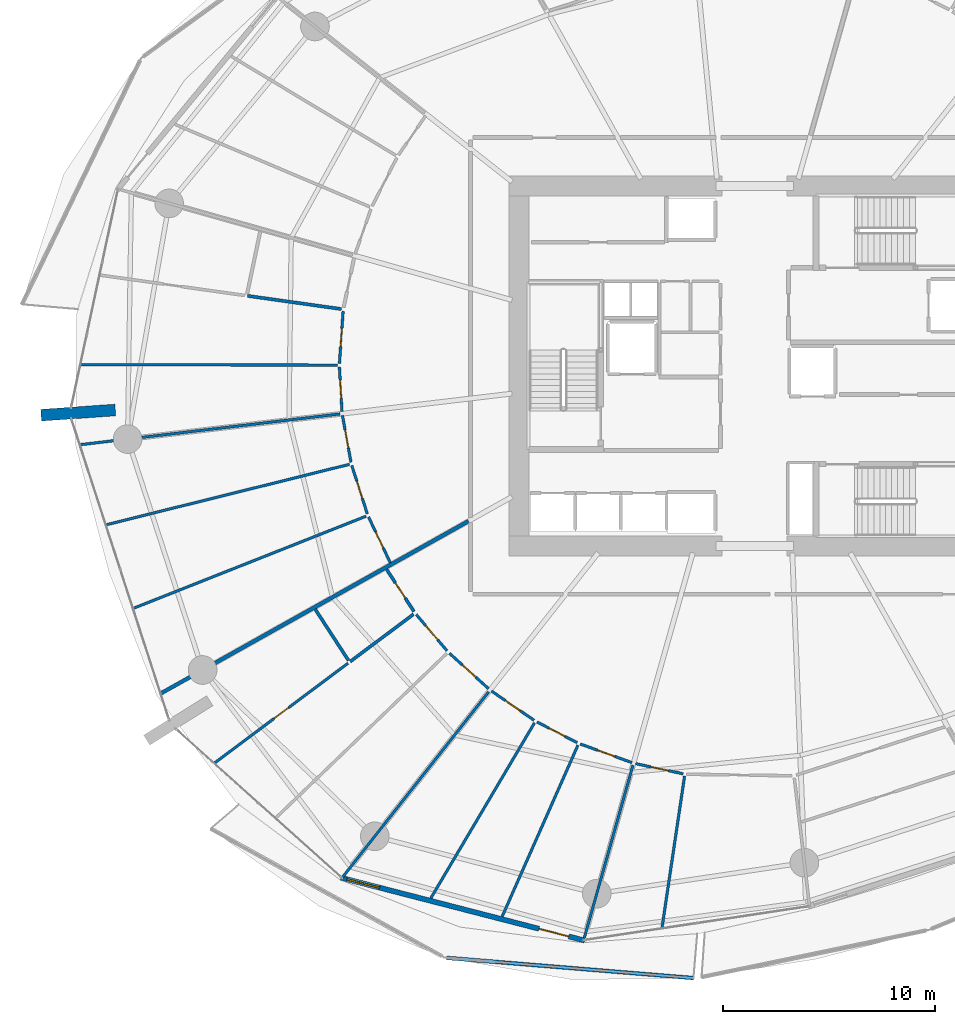
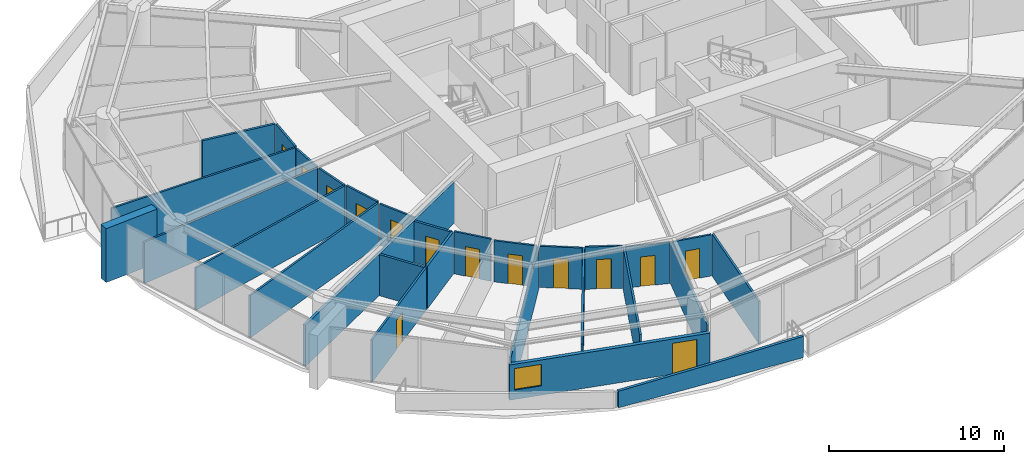
# One storey, part 19 of 31: 29 walls, 14 doors, 1 window, 15 openings.
"""IFC4 building model written with IfcOpenShell, lengths in metres."""

import ifcopenshell
import ifcopenshell.guid

model = None  # the IFC model being written
_history = None  # IfcOwnerHistory: only IFC2X3 demands one
_inside = {}  # id of a spatial element -> (the spatial element, [elements in it])
_under = {}  # id of a project, library or spatial element -> (it, [spatial elements below it])
_declared = {}  # id of a project -> (the project, [libraries it declares])
_typed = {}  # id of a type object -> (the type object, [elements of that type])
_made_of = {}  # id of a material, layer set ... -> (it, [elements and type objects made of it])


def new_model(schema):
    """Start an empty IFC model of exactly this schema.

    Asked for "IFC4X3", IfcOpenShell would pick the latest addendum, in which some entities
    have other attributes; the version numbers below select the first issue.
    IFC2X3 requires an IfcOwnerHistory on every rooted entity: one is made here for all.
    """
    global model, _history
    if schema == "IFC4X3":
        model = ifcopenshell.file(schema_version=(4, 3, 0, 0))
    else:
        model = ifcopenshell.file(schema=schema)
    _inside.clear()
    _under.clear()
    _declared.clear()
    _typed.clear()
    _made_of.clear()
    _history = None
    if model.schema == "IFC2X3":
        org = make("IfcOrganization", Name="unknown")
        user = make(
            "IfcPersonAndOrganization",
            ThePerson=make("IfcPerson", FamilyName="unknown"),
            TheOrganization=org,
        )
        app = make(
            "IfcApplication",
            ApplicationDeveloper=org,
            Version="unknown",
            ApplicationFullName="unknown",
            ApplicationIdentifier="unknown",
        )
        _history = make(
            "IfcOwnerHistory",
            OwningUser=user,
            OwningApplication=app,
            ChangeAction="ADDED",
            CreationDate=0,
        )
    return model


def make(cls, **values):
    """One entity of the class cls with the attributes given. An attribute that is None is left unset."""
    return model.create_entity(
        cls, **{name: value for name, value in values.items() if value is not None}
    )


def rooted(cls, **values):
    """An entity with a GlobalId (a new one), such as an element, a storey or a relation."""
    return make(cls, GlobalId=ifcopenshell.guid.new(), OwnerHistory=_history, **values)


def si_unit(unit_type, name, prefix=None):
    """IfcSIUnit, for example si_unit("LENGTHUNIT", "METRE", prefix="MILLI")."""
    return make("IfcSIUnit", UnitType=unit_type, Prefix=prefix, Name=name)


def assignment(units):
    """IfcUnitAssignment: the units of a project."""
    return None if units is None else make("IfcUnitAssignment", Units=units)


def point(xyz):
    """IfcCartesianPoint."""
    return None if xyz is None else make("IfcCartesianPoint", Coordinates=xyz)


def direction(xyz):
    """IfcDirection."""
    return None if xyz is None else make("IfcDirection", DirectionRatios=xyz)


def frame(location, z_axis=None, x_axis=None):
    """IfcAxis2Placement3D, a coordinate frame: its origin and axes. An axis left out is left unset."""
    return make(
        "IfcAxis2Placement3D",
        Location=point(location),
        Axis=direction(z_axis),
        RefDirection=direction(x_axis),
    )


def frame_2d(location, x_axis=None):
    """IfcAxis2Placement2D, a coordinate frame in the plane: its origin and x axis."""
    return make(
        "IfcAxis2Placement2D", Location=point(location), RefDirection=direction(x_axis)
    )


def origin():
    """The frame at (0, 0, 0) with its axes left unset."""
    return frame((0.0, 0.0, 0.0))


def place(relative_to, where):
    """IfcLocalPlacement: puts the frame where relative to a parent placement (None: the world)."""
    return make(
        "IfcLocalPlacement", PlacementRelTo=relative_to, RelativePlacement=where
    )


def context(
    kind, dimensions, precision=None, world=None, true_north=None, identifier=None
):
    """IfcGeometricRepresentationContext, for example the 3D "Model" context."""
    return make(
        "IfcGeometricRepresentationContext",
        ContextIdentifier=identifier,
        ContextType=kind,
        CoordinateSpaceDimension=dimensions,
        Precision=precision,
        WorldCoordinateSystem=world,
        TrueNorth=true_north,
    )


def subcontext(parent, identifier, kind, view, scale=None):
    """IfcGeometricRepresentationSubContext, for example "Body" below "Model"."""
    return make(
        "IfcGeometricRepresentationSubContext",
        ContextIdentifier=identifier,
        ContextType=kind,
        ParentContext=parent,
        TargetScale=scale,
        TargetView=view,
    )


def project(units=None, contexts=None):
    """IfcProject with its units and contexts."""
    return rooted(
        "IfcProject",
        Name="project",
        RepresentationContexts=contexts,
        UnitsInContext=assignment(units),
    )


def spatial(cls, under=None, at=None, **own):
    """A site, building, storey or space (cls), placed at a placement, below another one or the project."""
    s = rooted(cls, ObjectPlacement=at, **own)
    if under is not None:
        _under.setdefault(under.id(), (under, []))[1].append(s)
    return s


def polyline(points):
    """IfcPolyline through the points."""
    return make("IfcPolyline", Points=[point(p) for p in points])


def profile(cls, at=None, kind="AREA", **sizes):
    """A parametric profile (cls). Its sizes go by their IFC names, for example OverallWidth=200.0."""
    return make(cls, ProfileType=kind, Position=at, **sizes)


def rectangle(**sizes):
    """IfcRectangleProfileDef."""
    return profile("IfcRectangleProfileDef", **sizes)


def outline(outer, holes=None, kind="AREA"):
    """IfcArbitraryClosedProfileDef: a profile drawn as a closed curve; with holes, ...WithVoids."""
    if holes is None:
        return make("IfcArbitraryClosedProfileDef", ProfileType=kind, OuterCurve=outer)
    return make(
        "IfcArbitraryProfileDefWithVoids",
        ProfileType=kind,
        OuterCurve=outer,
        InnerCurves=holes,
    )


def extrude(swept, where, along, depth):
    """IfcExtrudedAreaSolid: the profile swept, set in the frame where, extruded along a direction by depth."""
    return make(
        "IfcExtrudedAreaSolid",
        SweptArea=swept,
        Position=where,
        ExtrudedDirection=direction(along),
        Depth=depth,
    )


def shape(context_of_items, identifier, shape_type, items):
    """IfcShapeRepresentation: the items that make up one representation, for example the "Body"."""
    return make(
        "IfcShapeRepresentation",
        ContextOfItems=context_of_items,
        RepresentationIdentifier=identifier,
        RepresentationType=shape_type,
        Items=items,
    )


def material(Name=None, Category=None):
    """IfcMaterial."""
    return make("IfcMaterial", Name=Name, Category=Category)


def layer(
    of_material, thickness, ventilated=None, Name=None, Category=None, Priority=None
):
    """IfcMaterialLayer: one layer of a wall or slab, of a material (None: an air gap)."""
    return make(
        "IfcMaterialLayer",
        Material=of_material,
        LayerThickness=thickness,
        IsVentilated=ventilated,
        Name=Name,
        Category=Category,
        Priority=Priority,
    )


def layer_set(layers, Name=None):
    """IfcMaterialLayerSet."""
    return make("IfcMaterialLayerSet", MaterialLayers=layers, LayerSetName=Name)


def made_of(thing, what):
    """Note that an element or type object is made of a material, layer set ...; save() writes the relation."""
    if what is not None:
        _made_of.setdefault(what.id(), (what, []))[1].append(thing)
    return thing


def type_object(cls, material=None, **own):
    """A type object (cls), such as IfcWallType, which elements share."""
    return made_of(rooted(cls, **own), material)


def element(
    cls,
    number,
    at=None,
    inside=None,
    cuts=None,
    type_object=None,
    material=None,
    context=None,
    identifier="Body",
    shape_type=None,
    held_by="IfcProductDefinitionShape",
    body=None,
    shapes=None,
    **own,
):
    """One element of the class cls, such as IfcWall. Its Tag is "e" and its number.

    at: its placement. inside: the storey or other place that contains it. cuts: it is an
    opening in that element (IfcRelVoidsElement). A single representation is given by context,
    identifier, shape_type and body (its items); several are given by shapes. held_by: the class
    of the entity that holds the representations. save() writes the other relations.
    """
    e = rooted(cls, Tag="e%d" % number, ObjectPlacement=at, **own)
    if body is not None:
        shapes = [shape(context, identifier, shape_type, body)]
    if shapes is not None:
        e.Representation = make(held_by, Representations=shapes)
    if inside is not None:
        _inside.setdefault(inside.id(), (inside, []))[1].append(e)
    if cuts is not None:
        rooted(
            "IfcRelVoidsElement", RelatingBuildingElement=cuts, RelatedOpeningElement=e
        )
    if type_object is not None:
        _typed.setdefault(type_object.id(), (type_object, []))[1].append(e)
    return made_of(e, material)


def fill(opening, filler):
    """IfcRelFillsElement: the door or window that sits in an opening."""
    return rooted(
        "IfcRelFillsElement",
        RelatingOpeningElement=opening,
        RelatedBuildingElement=filler,
    )


def aggregate(whole, parts):
    """IfcRelAggregates: a whole, such as a stair, and the parts it consists of."""
    return rooted("IfcRelAggregates", RelatingObject=whole, RelatedObjects=parts)


def save(model, path):
    """Write the relations noted so far, then the file.

    IfcRelAggregates (storeys below a building ...), IfcRelContainedInSpatialStructure (elements
    in a storey), IfcRelDefinesByType, IfcRelAssociatesMaterial and IfcRelDeclares: one each for
    every whole, place, type object, material and project.
    """
    for whole, parts in _under.values():
        aggregate(whole, parts)
    for where, things in _inside.values():
        rooted(
            "IfcRelContainedInSpatialStructure",
            RelatedElements=things,
            RelatingStructure=where,
        )
    for kind, things in _typed.values():
        rooted("IfcRelDefinesByType", RelatedObjects=things, RelatingType=kind)
    for what, things in _made_of.values():
        rooted("IfcRelAssociatesMaterial", RelatedObjects=things, RelatingMaterial=what)
    for by, libraries in _declared.values():
        rooted("IfcRelDeclares", RelatingContext=by, RelatedDefinitions=libraries)
    model.write(path)


model = new_model("IFC4")

# Units and contexts
model_context = context("Model", 3, precision=1e-05, world=origin(), true_north=direction((0.0, 1.0)))
body_context = subcontext(model_context, "Body", "Model", "MODEL_VIEW")
ifc_project = project(units=[si_unit("LENGTHUNIT", "METRE"), si_unit("AREAUNIT", "SQUARE_METRE"), si_unit("VOLUMEUNIT", "CUBIC_METRE"), si_unit("PLANEANGLEUNIT", "RADIAN"), si_unit("MASSUNIT", "GRAM", prefix="KILO")], contexts=[model_context])

# Site, building, storey
site_placement = place(None, origin())
site = spatial("IfcSite", under=ifc_project, at=site_placement, CompositionType="ELEMENT")
building_placement = place(site_placement, origin())
building = spatial("IfcBuilding", under=site, at=building_placement, Name="Kazma Halo Residences", CompositionType="ELEMENT")
storey_placement = place(building_placement, frame((0.0, 0.0, 41.39990234375)))
storey = spatial("IfcBuildingStorey", under=building, at=storey_placement, Name="L09", CompositionType="ELEMENT", Elevation=41.39990234375)

# Walls
ifc_material_1 = material(Name="White Concrete C50/60 Balustrade", Category="concrete")
ifc_layer_1 = layer(ifc_material_1, 0.179931640625)
ifc_layer_set_1 = layer_set([ifc_layer_1], Name="White Concrete C50/60 Balustrade")
wall_type_1 = type_object("IfcWallType", Name="WL-BAL-WAVE-180", PredefinedType="PARAPET", material=ifc_layer_set_1)
wall_1_placement = place(storey_placement, frame((33.923583984375, 14.12890625, 0.0), z_axis=(0.0, 0.0, 1.0), x_axis=(0.996665753963, -0.081592737892, 0.0)))
element("IfcWall", 1, at=wall_1_placement, inside=storey, type_object=wall_type_1, Name="L09 white wave balustrade wall SW.2", PredefinedType="PARAPET", context=body_context, shape_type="SweptSolid", body=[
    extrude(outline(polyline([(0.0, 0.0), (11.66943359375, 0.0), (11.669677734375, 1.483154296875), (5.8349609375, 1.2841796875), (0.0, 1.148193359375), (0.0, 0.0)])), frame((0.0, 0.08984375, 0.0), z_axis=(0.0, -1.0, 0.0), x_axis=(1.0, 0.0, 0.0)), (0.0, 0.0, 1.0), 0.179931640625),
])
ifc_material_2 = material(Name="Pale Concrete C60/75", Category="concrete")
ifc_layer_2 = layer(ifc_material_2, 0.550048828125)
ifc_layer_set_2 = layer_set([ifc_layer_2], Name="Pale Concrete C60/75")
wall_type_2 = type_object("IfcWallType", Name="WL-BLADE-550", PredefinedType="SOLIDWALL", material=ifc_layer_set_2)
wall_2_placement = place(storey_placement, frame((18.322021484375, 39.9248046875, 0.0), z_axis=(0.0, 0.0, 1.0), x_axis=(-0.997564163539, -0.069754853754, 0.0)))
element("IfcWall", 2, at=wall_2_placement, inside=storey, type_object=wall_type_2, Name="L09 pale concrete structural blade fin wall BW-02", PredefinedType="SOLIDWALL", context=body_context, shape_type="SweptSolid", body=[
    extrude(rectangle(XDim=3.5, YDim=0.550048828125, at=frame_2d((1.75, 0.0))), origin(), (0.0, 0.0, 1.0), 3.75),
])
ifc_material_3 = material(Name="Acoustic Twin-Stud Gypsum")
ifc_layer_3 = layer(ifc_material_3, 0.179931640625)
ifc_layer_set_3 = layer_set([ifc_layer_3], Name="Acoustic Twin-Stud Gypsum")
wall_type_3 = type_object("IfcWallType", Name="WL-DEM-180", PredefinedType="PARTITIONING", material=ifc_layer_set_3)
wall_3_placement = place(storey_placement, frame((34.9541015625, 34.694091796875, 0.0), z_axis=(0.0, 0.0, 1.0), x_axis=(-0.872493465611, -0.488625779577, 0.0)))
element("IfcWall", 3, at=wall_3_placement, inside=storey, type_object=wall_type_3, Name="L09 apartment demising radial wall 08", PredefinedType="PARTITIONING", context=body_context, shape_type="SweptSolid", body=[
    extrude(rectangle(XDim=16.586181640625, YDim=0.179931640625, at=frame_2d((8.29296875, 0.0))), origin(), (0.0, 0.0, 1.0), 2.8671875),
])

# Wall, openings, door, window
ifc_material_4 = material(Name="Insulated Pale-Metal Composite Wall")
ifc_layer_4 = layer(ifc_material_4, 0.239990234375)
ifc_layer_set_4 = layer_set([ifc_layer_4], Name="Insulated Pale-Metal Composite Wall")
wall_type_4 = type_object("IfcWallType", Name="WL-EXT-HOST-240", PredefinedType="SOLIDWALL", material=ifc_layer_set_4)
wall_4_placement = place(storey_placement, frame((28.94580078125, 17.90380859375, 0.0), z_axis=(0.0, 0.0, 1.0), x_axis=(0.96833871487, -0.249640007378, 0.0)))
wall_4 = element("IfcWall", 4, at=wall_4_placement, inside=storey, type_object=wall_type_4, Name="L09 exterior terrace-access wall B10", PredefinedType="SOLIDWALL", context=body_context, shape_type="SweptSolid", body=[
    extrude(rectangle(XDim=11.85107421875, YDim=0.239990234375, at=frame_2d((5.925537109375, 0.0))), origin(), (0.0, 0.0, 1.0), 2.4501953125),
])
opening_1_placement = place(wall_4_placement, frame((9.631103515625, 0.0, 0.0)))
opening_1 = element("IfcOpeningElement", 5, at=opening_1_placement, cuts=wall_4, Name="Opening DTR-1600", PredefinedType="OPENING", context=body_context, shape_type="SweptSolid", body=[
    extrude(rectangle(XDim=1.449951171875, YDim=2.14990234375, at=frame_2d((0.72509765625, 1.074951171875))), frame((0.0, 0.1298828125, 0.0), z_axis=(0.0, -1.0, 0.0), x_axis=(1.0, 0.0, 0.0)), (0.0, 0.0, 1.0), 0.260009765625),
])
opening_2_placement = place(wall_4_placement, frame((0.280029296875, 0.0, 0.64990234375)))
opening_2 = element("IfcOpeningElement", 6, at=opening_2_placement, cuts=wall_4, Name="Opening W-1800", PredefinedType="OPENING", context=body_context, shape_type="SweptSolid", body=[
    extrude(rectangle(XDim=1.60009765625, YDim=1.5, at=frame_2d((0.800048828125, 0.75))), frame((0.0, 0.1298828125, 0.0), z_axis=(0.0, -1.0, 0.0), x_axis=(1.0, 0.0, 0.0)), (0.0, 0.0, 1.0), 0.260009765625),
])
ifc_material_5 = material(Name="Aluminium AW-6063 T6 Double-Glazed Terrace Door", Category="aluminium")
door_type_1 = type_object("IfcDoorType", Name="DR-EXT-TERR-1600", OperationType="NOTDEFINED", PredefinedType="DOOR", material=ifc_material_5)
door_1_placement = place(opening_1_placement, origin())
door_1 = element("IfcDoor", 7, at=door_1_placement, inside=storey, type_object=door_type_1, Name="L09 B10 balcony terrace door", OperationType="DOUBLE_DOOR_SLIDING", OverallHeight=2.14990234375, OverallWidth=1.449951171875, PredefinedType="DOOR", context=body_context, shape_type="SweptSolid", body=[
    extrude(rectangle(XDim=1.449951171875, YDim=2.14990234375, at=frame_2d((0.72509765625, 1.074951171875))), frame((0.0, 0.02490234375, 0.0), z_axis=(0.0, -1.0, 0.0), x_axis=(1.0, 0.0, 0.0)), (0.0, 0.0, 1.0), 0.050048828125),
])
fill(opening_1, door_1)
ifc_material_6 = material(Name="Clear Triple-Silver Low-E Glass in Aluminium AW-6063 T6 Frame", Category="aluminium")
window_type = type_object("IfcWindowType", Name="WIN-RES-1800", PartitioningType="DOUBLE_PANEL_VERTICAL", PredefinedType="WINDOW", material=ifc_material_6)
window_placement = place(opening_2_placement, origin())
window = element("IfcWindow", 8, at=window_placement, inside=storey, type_object=window_type, Name="L09 B10 apartment window", OverallHeight=1.5, OverallWidth=1.60009765625, PartitioningType="SINGLE_PANEL", PredefinedType="WINDOW", context=body_context, shape_type="SweptSolid", body=[
    extrude(rectangle(XDim=1.60009765625, YDim=1.5, at=frame_2d((0.800048828125, 0.75))), frame((0.0, 0.030029296875, 0.0), z_axis=(0.0, -1.0, 0.0), x_axis=(1.0, 0.0, 0.0)), (0.0, 0.0, 1.0), 0.06005859375),
])
fill(opening_2, window)

# Wall
ifc_material_7 = material(Name="Gypsum Plasterboard Partition")
ifc_layer_5 = layer(ifc_material_7, 0.125)
ifc_layer_set_5 = layer_set([ifc_layer_5], Name="Gypsum Plasterboard Partition")
wall_type_5 = type_object("IfcWallType", Name="WL-PART-125", PredefinedType="PARTITIONING", material=ifc_layer_set_5)
wall_5_placement = place(storey_placement, frame((28.780029296875, 42.0380859375, 0.0), z_axis=(0.0, 0.0, 1.0), x_axis=(-0.999998036955, 0.001981435282, 0.0)))
element("IfcWall", 9, at=wall_5_placement, inside=storey, type_object=wall_type_5, Name="L09 Apartment 1 suite divider 6", PredefinedType="PARTITIONING", context=body_context, shape_type="SweptSolid", body=[
    extrude(rectangle(XDim=12.074951171875, YDim=0.125, at=frame_2d((6.03759765625, 0.0))), origin(), (0.0, 0.0, 1.0), 2.940185546875),
])

# Wall, opening, door
wall_6_placement = place(storey_placement, frame((29.05029296875, 44.575927734375, 0.0), z_axis=(0.0, 0.0, 1.0), x_axis=(-0.070831673661, -0.997488282641, 0.0)))
wall_6 = element("IfcWall", 10, at=wall_6_placement, inside=storey, type_object=wall_type_5, Name="L09 Apartment 1 Gulf Formal Dining Room hall wall", PredefinedType="PARTITIONING", context=body_context, shape_type="SweptSolid", body=[
    extrude(rectangle(XDim=2.46435546875, YDim=0.125, at=frame_2d((1.232177734375, 0.0))), origin(), (0.0, 0.0, 1.0), 2.940185546875),
])
opening_3_placement = place(wall_6_placement, frame((0.80712890625, 0.0, 0.0)))
opening_3 = element("IfcOpeningElement", 11, at=opening_3_placement, cuts=wall_6, Name="Opening DB-900", PredefinedType="OPENING", context=body_context, shape_type="SweptSolid", body=[
    extrude(rectangle(XDim=0.85009765625, YDim=2.06005859375, at=frame_2d((0.425048828125, 1.030029296875))), frame((0.0, 0.072509765625, 0.0), z_axis=(0.0, -1.0, 0.0), x_axis=(1.0, 0.0, 0.0)), (0.0, 0.0, 1.0), 0.14501953125),
])
ifc_material_8 = material(Name="Moisture-Sealed Timber Leaf", Category="wood")
door_type_2 = type_object("IfcDoorType", Name="DR-BTH-900", OperationType="NOTDEFINED", PredefinedType="DOOR", material=ifc_material_8)
door_2_placement = place(opening_3_placement, origin())
door_2 = element("IfcDoor", 12, at=door_2_placement, inside=storey, type_object=door_type_2, Name="L09 Apartment 1 Gulf Formal Dining Room door", OperationType="SINGLE_SWING_RIGHT", OverallHeight=2.06005859375, OverallWidth=0.85009765625, PredefinedType="DOOR", context=body_context, shape_type="SweptSolid", body=[
    extrude(rectangle(XDim=0.85009765625, YDim=2.06005859375, at=frame_2d((0.425048828125, 1.030029296875))), frame((0.0, 0.02490234375, 0.0), z_axis=(0.0, -1.0, 0.0), x_axis=(1.0, 0.0, 0.0)), (0.0, 0.0, 1.0), 0.050048828125),
])
fill(opening_3, door_2)

wall_7_placement = place(storey_placement, frame((28.87451171875, 41.9580078125, 0.0), z_axis=(0.0, 0.0, 1.0), x_axis=(0.057962417622, -0.998318765797, 0.0)))
wall_7 = element("IfcWall", 13, at=wall_7_placement, inside=storey, type_object=wall_type_5, Name="L09 Apartment 1 Primary Master Bedroom hall wall", PredefinedType="PARTITIONING", context=body_context, shape_type="SweptSolid", body=[
    extrude(rectangle(XDim=2.1103515625, YDim=0.125, at=frame_2d((1.05517578125, 0.0))), origin(), (0.0, 0.0, 1.0), 2.8671875),
])
opening_4_placement = place(wall_7_placement, frame((0.630126953125, 0.0, 0.0)))
opening_4 = element("IfcOpeningElement", 14, at=opening_4_placement, cuts=wall_7, Name="Opening DB-900", PredefinedType="OPENING", context=body_context, shape_type="SweptSolid", body=[
    extrude(rectangle(XDim=0.85009765625, YDim=2.06005859375, at=frame_2d((0.425048828125, 1.030029296875))), frame((0.0, 0.072509765625, 0.0), z_axis=(0.0, -1.0, 0.0), x_axis=(1.0, 0.0, 0.0)), (0.0, 0.0, 1.0), 0.14501953125),
])
door_3_placement = place(opening_4_placement, origin())
door_3 = element("IfcDoor", 15, at=door_3_placement, inside=storey, type_object=door_type_2, Name="L09 Apartment 1 Primary Master Bedroom door", OperationType="SINGLE_SWING_LEFT", OverallHeight=2.06005859375, OverallWidth=0.85009765625, PredefinedType="DOOR", context=body_context, shape_type="SweptSolid", body=[
    extrude(rectangle(XDim=0.85009765625, YDim=2.06005859375, at=frame_2d((0.425048828125, 1.030029296875))), frame((0.0, 0.02490234375, 0.0), z_axis=(0.0, -1.0, 0.0), x_axis=(1.0, 0.0, 0.0)), (0.0, 0.0, 1.0), 0.050048828125),
])
fill(opening_4, door_3)

# Walls
wall_8_placement = place(storey_placement, frame((28.9033203125, 39.73974609375, 0.0), z_axis=(0.0, 0.0, 1.0), x_axis=(-0.993068040113, -0.117540919282, 0.0)))
element("IfcWall", 16, at=wall_8_placement, inside=storey, type_object=wall_type_5, Name="L09 Apartment 1 radial partition 7", PredefinedType="PARTITIONING", context=body_context, shape_type="SweptSolid", body=[
    extrude(rectangle(XDim=12.30859375, YDim=0.125, at=frame_2d((6.154296875, 0.0))), origin(), (0.0, 0.0, 1.0), 2.8671875),
])
wall_9_placement = place(storey_placement, frame((29.346923828125, 37.366455078125, 0.0), z_axis=(0.0, 0.0, 1.0), x_axis=(-0.970510462135, -0.241059002917, 0.0)))
element("IfcWall", 17, at=wall_9_placement, inside=storey, type_object=wall_type_5, Name="L09 Apartment 1 bay wall 1 7", PredefinedType="PARTITIONING", context=body_context, shape_type="SweptSolid", body=[
    extrude(rectangle(XDim=11.789794921875, YDim=0.125, at=frame_2d((5.89501953125, 0.0))), origin(), (0.0, 0.0, 1.0), 2.940185546875),
])
wall_10_placement = place(storey_placement, frame((30.129638671875, 34.9248046875, 0.0), z_axis=(0.0, 0.0, 1.0), x_axis=(-0.929770978957, -0.368138461302, 0.0)))
element("IfcWall", 18, at=wall_10_placement, inside=storey, type_object=wall_type_5, Name="L09 Apartment 1 bay wall 2 7", PredefinedType="PARTITIONING", context=body_context, shape_type="SweptSolid", body=[
    extrude(rectangle(XDim=11.7734375, YDim=0.125, at=frame_2d((5.88671875, 0.0))), origin(), (0.0, 0.0, 1.0), 2.940185546875),
])

# Wall, opening, door
wall_11_placement = place(storey_placement, frame((29.01708984375, 39.6728515625, 0.0), z_axis=(0.0, 0.0, 1.0), x_axis=(0.179632658462, -0.983733758704, 0.0)))
wall_11 = element("IfcWall", 19, at=wall_11_placement, inside=storey, type_object=wall_type_5, Name="L09 Apartment 1 West Master Bedroom hall wall", PredefinedType="PARTITIONING", context=body_context, shape_type="SweptSolid", body=[
    extrude(rectangle(XDim=2.242431640625, YDim=0.125, at=frame_2d((1.12109375, 0.0))), origin(), (0.0, 0.0, 1.0), 2.8671875),
])
opening_5_placement = place(wall_11_placement, frame((0.6962890625, 0.0, 0.0)))
opening_5 = element("IfcOpeningElement", 20, at=opening_5_placement, cuts=wall_11, Name="Opening DB-900", PredefinedType="OPENING", context=body_context, shape_type="SweptSolid", body=[
    extrude(rectangle(XDim=0.85009765625, YDim=2.06005859375, at=frame_2d((0.425048828125, 1.030029296875))), frame((0.0, 0.072509765625, 0.0), z_axis=(0.0, -1.0, 0.0), x_axis=(1.0, 0.0, 0.0)), (0.0, 0.0, 1.0), 0.14501953125),
])
door_4_placement = place(opening_5_placement, origin())
door_4 = element("IfcDoor", 21, at=door_4_placement, inside=storey, type_object=door_type_2, Name="L09 Apartment 1 West Master Bedroom door", OperationType="SINGLE_SWING_RIGHT", OverallHeight=2.06005859375, OverallWidth=0.85009765625, PredefinedType="DOOR", context=body_context, shape_type="SweptSolid", body=[
    extrude(rectangle(XDim=0.85009765625, YDim=2.06005859375, at=frame_2d((0.425048828125, 1.030029296875))), frame((0.0, 0.02490234375, 0.0), z_axis=(0.0, -1.0, 0.0), x_axis=(1.0, 0.0, 0.0)), (0.0, 0.0, 1.0), 0.050048828125),
])
fill(opening_5, door_4)

wall_12_placement = place(storey_placement, frame((29.45849609375, 37.31201171875, 0.0), z_axis=(0.0, 0.0, 1.0), x_axis=(0.305338513131, -0.952243872335, 0.0)))
wall_12 = element("IfcWall", 22, at=wall_12_placement, inside=storey, type_object=wall_type_5, Name="L09 Apartment 1 North Dressing Wardrobe hall wall", PredefinedType="PARTITIONING", context=body_context, shape_type="SweptSolid", body=[
    extrude(rectangle(XDim=2.392333984375, YDim=0.125, at=frame_2d((1.1962890625, 0.0))), origin(), (0.0, 0.0, 1.0), 2.940185546875),
])
opening_6_placement = place(wall_12_placement, frame((0.77099609375, 0.0, 0.0)))
opening_6 = element("IfcOpeningElement", 23, at=opening_6_placement, cuts=wall_12, Name="Opening DB-900", PredefinedType="OPENING", context=body_context, shape_type="SweptSolid", body=[
    extrude(rectangle(XDim=0.85009765625, YDim=2.06005859375, at=frame_2d((0.425048828125, 1.030029296875))), frame((0.0, 0.072509765625, 0.0), z_axis=(0.0, -1.0, 0.0), x_axis=(1.0, 0.0, 0.0)), (0.0, 0.0, 1.0), 0.14501953125),
])
door_5_placement = place(opening_6_placement, origin())
door_5 = element("IfcDoor", 24, at=door_5_placement, inside=storey, type_object=door_type_2, Name="L09 Apartment 1 North Dressing Wardrobe door", OperationType="SINGLE_SWING_LEFT", OverallHeight=2.06005859375, OverallWidth=0.85009765625, PredefinedType="DOOR", context=body_context, shape_type="SweptSolid", body=[
    extrude(rectangle(XDim=0.85009765625, YDim=2.06005859375, at=frame_2d((0.425048828125, 1.030029296875))), frame((0.0, 0.02490234375, 0.0), z_axis=(0.0, -1.0, 0.0), x_axis=(1.0, 0.0, 0.0)), (0.0, 0.0, 1.0), 0.050048828125),
])
fill(opening_6, door_5)

wall_13_placement = place(storey_placement, frame((30.247802734375, 34.885498046875, 0.0), z_axis=(0.0, 0.0, 1.0), x_axis=(0.429366977128, -0.903130111862, 0.0)))
wall_13 = element("IfcWall", 25, at=wall_13_placement, inside=storey, type_object=wall_type_5, Name="L09 Apartment 1 South Master Bedroom hall wall", PredefinedType="PARTITIONING", context=body_context, shape_type="SweptSolid", body=[
    extrude(rectangle(XDim=2.39208984375, YDim=0.125, at=frame_2d((1.196044921875, 0.0))), origin(), (0.0, 0.0, 1.0), 2.8671875),
])
opening_7_placement = place(wall_13_placement, frame((0.77099609375, 0.0, 0.0)))
opening_7 = element("IfcOpeningElement", 26, at=opening_7_placement, cuts=wall_13, Name="Opening DB-900", PredefinedType="OPENING", context=body_context, shape_type="SweptSolid", body=[
    extrude(rectangle(XDim=0.85009765625, YDim=2.06005859375, at=frame_2d((0.425048828125, 1.030029296875))), frame((0.0, 0.072509765625, 0.0), z_axis=(0.0, -1.0, 0.0), x_axis=(1.0, 0.0, 0.0)), (0.0, 0.0, 1.0), 0.14501953125),
])
door_6_placement = place(opening_7_placement, origin())
door_6 = element("IfcDoor", 27, at=door_6_placement, inside=storey, type_object=door_type_2, Name="L09 Apartment 1 South Master Bedroom door", OperationType="SINGLE_SWING_RIGHT", OverallHeight=2.06005859375, OverallWidth=0.85009765625, PredefinedType="DOOR", context=body_context, shape_type="SweptSolid", body=[
    extrude(rectangle(XDim=0.85009765625, YDim=2.06005859375, at=frame_2d((0.425048828125, 1.030029296875))), frame((0.0, 0.02490234375, 0.0), z_axis=(0.0, -1.0, 0.0), x_axis=(1.0, 0.0, 0.0)), (0.0, 0.0, 1.0), 0.050048828125),
])
fill(opening_7, door_6)

wall_14_placement = place(storey_placement, frame((29.280517578125, 28.00244140625, 0.0), z_axis=(0.0, 0.0, 1.0), x_axis=(-0.800858109459, -0.598854146278, 0.0)))
wall_14 = element("IfcWall", 28, at=wall_14_placement, inside=storey, type_object=wall_type_5, Name="L09 Apartment 2 Household Store Room partition wall", PredefinedType="PARTITIONING", context=body_context, shape_type="SweptSolid", body=[
    extrude(rectangle(XDim=7.844970703125, YDim=0.125, at=frame_2d((3.92236328125, 0.0))), origin(), (0.0, 0.0, 1.0), 2.940185546875),
])
opening_8_placement = place(wall_14_placement, frame((3.49755859375, 0.0, 0.0)))
opening_8 = element("IfcOpeningElement", 29, at=opening_8_placement, cuts=wall_14, Name="Opening DB-900", PredefinedType="OPENING", context=body_context, shape_type="SweptSolid", body=[
    extrude(rectangle(XDim=0.85009765625, YDim=2.06005859375, at=frame_2d((0.425048828125, 1.030029296875))), frame((0.0, 0.072509765625, 0.0), z_axis=(0.0, -1.0, 0.0), x_axis=(1.0, 0.0, 0.0)), (0.0, 0.0, 1.0), 0.14501953125),
])
door_7_placement = place(opening_8_placement, origin())
door_7 = element("IfcDoor", 30, at=door_7_placement, inside=storey, type_object=door_type_2, Name="L09 Apartment 2 Household Store Room door", OperationType="SINGLE_SWING_LEFT", OverallHeight=2.06005859375, OverallWidth=0.85009765625, PredefinedType="DOOR", context=body_context, shape_type="SweptSolid", body=[
    extrude(rectangle(XDim=0.85009765625, YDim=2.06005859375, at=frame_2d((0.425048828125, 1.030029296875))), frame((0.0, 0.02490234375, 0.0), z_axis=(0.0, -1.0, 0.0), x_axis=(1.0, 0.0, 0.0)), (0.0, 0.0, 1.0), 0.050048828125),
])
fill(opening_8, door_7)

wall_15_placement = place(storey_placement, frame((32.494384765625, 30.29345703125, 0.0), z_axis=(0.0, 0.0, 1.0), x_axis=(0.64730971506, -0.762227087415, 0.0)))
wall_15 = element("IfcWall", 31, at=wall_15_placement, inside=storey, type_object=wall_type_5, Name="L09 Apartment 2 Gourmet Kitchen hall wall", PredefinedType="PARTITIONING", context=body_context, shape_type="SweptSolid", body=[
    extrude(rectangle(XDim=2.2392578125, YDim=0.125, at=frame_2d((1.11962890625, 0.0))), origin(), (0.0, 0.0, 1.0), 2.940185546875),
])
opening_9_placement = place(wall_15_placement, frame((0.694580078125, 0.0, 0.0)))
opening_9 = element("IfcOpeningElement", 32, at=opening_9_placement, cuts=wall_15, Name="Opening DB-900", PredefinedType="OPENING", context=body_context, shape_type="SweptSolid", body=[
    extrude(rectangle(XDim=0.85009765625, YDim=2.06005859375, at=frame_2d((0.425048828125, 1.030029296875))), frame((0.0, 0.072509765625, 0.0), z_axis=(0.0, -1.0, 0.0), x_axis=(1.0, 0.0, 0.0)), (0.0, 0.0, 1.0), 0.14501953125),
])
door_8_placement = place(opening_9_placement, origin())
door_8 = element("IfcDoor", 33, at=door_8_placement, inside=storey, type_object=door_type_2, Name="L09 Apartment 2 Gourmet Kitchen door", OperationType="SINGLE_SWING_RIGHT", OverallHeight=2.06005859375, OverallWidth=0.85009765625, PredefinedType="DOOR", context=body_context, shape_type="SweptSolid", body=[
    extrude(rectangle(XDim=0.85009765625, YDim=2.06005859375, at=frame_2d((0.425048828125, 1.030029296875))), frame((0.0, 0.02490234375, 0.0), z_axis=(0.0, -1.0, 0.0), x_axis=(1.0, 0.0, 0.0)), (0.0, 0.0, 1.0), 0.050048828125),
])
fill(opening_9, door_8)

wall_16_placement = place(storey_placement, frame((34.054931640625, 28.471923828125, 0.0), z_axis=(0.0, 0.0, 1.0), x_axis=(0.741069539407, -0.671428281921, 0.0)))
wall_16 = element("IfcWall", 34, at=wall_16_placement, inside=storey, type_object=wall_type_5, Name="L09 Apartment 2 Master Bedroom hall wall", PredefinedType="PARTITIONING", context=body_context, shape_type="SweptSolid", body=[
    extrude(rectangle(XDim=2.48193359375, YDim=0.125, at=frame_2d((1.240966796875, 0.0))), origin(), (0.0, 0.0, 1.0), 2.8671875),
])
opening_10_placement = place(wall_16_placement, frame((0.816162109375, 0.0, 0.0)))
opening_10 = element("IfcOpeningElement", 35, at=opening_10_placement, cuts=wall_16, Name="Opening DB-900", PredefinedType="OPENING", context=body_context, shape_type="SweptSolid", body=[
    extrude(rectangle(XDim=0.85009765625, YDim=2.06005859375, at=frame_2d((0.425048828125, 1.030029296875))), frame((0.0, 0.072509765625, 0.0), z_axis=(0.0, -1.0, 0.0), x_axis=(1.0, 0.0, 0.0)), (0.0, 0.0, 1.0), 0.14501953125),
])
door_9_placement = place(opening_10_placement, origin())
door_9 = element("IfcDoor", 36, at=door_9_placement, inside=storey, type_object=door_type_2, Name="L09 Apartment 2 Master Bedroom door", OperationType="SINGLE_SWING_LEFT", OverallHeight=2.06005859375, OverallWidth=0.85009765625, PredefinedType="DOOR", context=body_context, shape_type="SweptSolid", body=[
    extrude(rectangle(XDim=0.85009765625, YDim=2.06005859375, at=frame_2d((0.425048828125, 1.030029296875))), frame((0.0, 0.02490234375, 0.0), z_axis=(0.0, -1.0, 0.0), x_axis=(1.0, 0.0, 0.0)), (0.0, 0.0, 1.0), 0.050048828125),
])
fill(opening_10, door_9)

# Walls
wall_17_placement = place(storey_placement, frame((35.906494140625, 26.65966796875, 0.0), z_axis=(0.0, 0.0, 1.0), x_axis=(-0.619079945304, -0.785327970546, 0.0)))
element("IfcWall", 37, at=wall_17_placement, inside=storey, type_object=wall_type_5, Name="L09 Apartment 2 radial partition 9", PredefinedType="PARTITIONING", context=body_context, shape_type="SweptSolid", body=[
    extrude(rectangle(XDim=11.140380859375, YDim=0.125, at=frame_2d((5.5703125, 0.0))), origin(), (0.0, 0.0, 1.0), 2.8671875),
])
wall_18_placement = place(storey_placement, frame((38.0615234375, 25.19482421875, 0.0), z_axis=(0.0, 0.0, 1.0), x_axis=(-0.5090404875, -0.860742575969, 0.0)))
element("IfcWall", 38, at=wall_18_placement, inside=storey, type_object=wall_type_5, Name="L09 Apartment 2 bay wall 1 9", PredefinedType="PARTITIONING", context=body_context, shape_type="SweptSolid", body=[
    extrude(rectangle(XDim=9.593994140625, YDim=0.125, at=frame_2d((4.796875, 0.0))), origin(), (0.0, 0.0, 1.0), 2.940185546875),
])
wall_19_placement = place(storey_placement, frame((40.105712890625, 24.143310546875, 0.0), z_axis=(0.0, 0.0, 1.0), x_axis=(-0.404353353302, -0.91460284587, 0.0)))
element("IfcWall", 39, at=wall_19_placement, inside=storey, type_object=wall_type_5, Name="L09 Apartment 2 bay wall 2 9", PredefinedType="PARTITIONING", context=body_context, shape_type="SweptSolid", body=[
    extrude(rectangle(XDim=8.822998046875, YDim=0.125, at=frame_2d((4.41162109375, 0.0))), origin(), (0.0, 0.0, 1.0), 2.940185546875),
])

# Wall, opening, door
wall_20_placement = place(storey_placement, frame((36.034423828125, 26.693115234375, 0.0), z_axis=(0.0, 0.0, 1.0), x_axis=(0.824802387359, -0.56542110131, 0.0)))
wall_20 = element("IfcWall", 40, at=wall_20_placement, inside=storey, type_object=wall_type_5, Name="L09 Apartment 2 East Bedroom hall wall", PredefinedType="PARTITIONING", context=body_context, shape_type="SweptSolid", body=[
    extrude(rectangle(XDim=2.43310546875, YDim=0.125, at=frame_2d((1.216552734375, 0.0))), origin(), (0.0, 0.0, 1.0), 2.8671875),
])
opening_11_placement = place(wall_20_placement, frame((0.79150390625, 0.0, 0.0)))
opening_11 = element("IfcOpeningElement", 41, at=opening_11_placement, cuts=wall_20, Name="Opening DB-900", PredefinedType="OPENING", context=body_context, shape_type="SweptSolid", body=[
    extrude(rectangle(XDim=0.85009765625, YDim=2.06005859375, at=frame_2d((0.425048828125, 1.030029296875))), frame((0.0, 0.072509765625, 0.0), z_axis=(0.0, -1.0, 0.0), x_axis=(1.0, 0.0, 0.0)), (0.0, 0.0, 1.0), 0.14501953125),
])
door_10_placement = place(opening_11_placement, origin())
door_10 = element("IfcDoor", 42, at=door_10_placement, inside=storey, type_object=door_type_2, Name="L09 Apartment 2 East Bedroom door", OperationType="SINGLE_SWING_RIGHT", OverallHeight=2.06005859375, OverallWidth=0.85009765625, PredefinedType="DOOR", context=body_context, shape_type="SweptSolid", body=[
    extrude(rectangle(XDim=0.85009765625, YDim=2.06005859375, at=frame_2d((0.425048828125, 1.030029296875))), frame((0.0, 0.02490234375, 0.0), z_axis=(0.0, -1.0, 0.0), x_axis=(1.0, 0.0, 0.0)), (0.0, 0.0, 1.0), 0.050048828125),
])
fill(opening_11, door_10)

wall_21_placement = place(storey_placement, frame((38.178466796875, 25.235595703125, 0.0), z_axis=(0.0, 0.0, 1.0), x_axis=(0.889251803761, -0.457418003044, 0.0)))
wall_21 = element("IfcWall", 43, at=wall_21_placement, inside=storey, type_object=wall_type_5, Name="L09 Apartment 2 West Study hall wall", PredefinedType="PARTITIONING", context=body_context, shape_type="SweptSolid", body=[
    extrude(rectangle(XDim=2.1279296875, YDim=0.125, at=frame_2d((1.06396484375, 0.0))), origin(), (0.0, 0.0, 1.0), 2.940185546875),
])
opening_12_placement = place(wall_21_placement, frame((0.63916015625, 0.0, 0.0)))
opening_12 = element("IfcOpeningElement", 44, at=opening_12_placement, cuts=wall_21, Name="Opening DB-900", PredefinedType="OPENING", context=body_context, shape_type="SweptSolid", body=[
    extrude(rectangle(XDim=0.85009765625, YDim=2.06005859375, at=frame_2d((0.425048828125, 1.030029296875))), frame((0.0, 0.072509765625, 0.0), z_axis=(0.0, -1.0, 0.0), x_axis=(1.0, 0.0, 0.0)), (0.0, 0.0, 1.0), 0.14501953125),
])
door_11_placement = place(opening_12_placement, origin())
door_11 = element("IfcDoor", 45, at=door_11_placement, inside=storey, type_object=door_type_2, Name="L09 Apartment 2 West Study door", OperationType="SINGLE_SWING_LEFT", OverallHeight=2.06005859375, OverallWidth=0.85009765625, PredefinedType="DOOR", context=body_context, shape_type="SweptSolid", body=[
    extrude(rectangle(XDim=0.85009765625, YDim=2.06005859375, at=frame_2d((0.425048828125, 1.030029296875))), frame((0.0, 0.02490234375, 0.0), z_axis=(0.0, -1.0, 0.0), x_axis=(1.0, 0.0, 0.0)), (0.0, 0.0, 1.0), 0.050048828125),
])
fill(opening_12, door_11)

wall_22_placement = place(storey_placement, frame((40.21728515625, 24.198486328125, 0.0), z_axis=(0.0, 0.0, 1.0), x_axis=(0.940866942481, -0.338776322293, 0.0)))
wall_22 = element("IfcWall", 46, at=wall_22_placement, inside=storey, type_object=wall_type_5, Name="L09 Apartment 2 North Bedroom hall wall", PredefinedType="PARTITIONING", context=body_context, shape_type="SweptSolid", body=[
    extrude(rectangle(XDim=2.5849609375, YDim=0.125, at=frame_2d((1.29248046875, 0.0))), origin(), (0.0, 0.0, 1.0), 2.8671875),
])
opening_13_placement = place(wall_22_placement, frame((0.867431640625, 0.0, 0.0)))
opening_13 = element("IfcOpeningElement", 47, at=opening_13_placement, cuts=wall_22, Name="Opening DB-900", PredefinedType="OPENING", context=body_context, shape_type="SweptSolid", body=[
    extrude(rectangle(XDim=0.85009765625, YDim=2.06005859375, at=frame_2d((0.425048828125, 1.030029296875))), frame((0.0, 0.072509765625, 0.0), z_axis=(0.0, -1.0, 0.0), x_axis=(1.0, 0.0, 0.0)), (0.0, 0.0, 1.0), 0.14501953125),
])
door_12_placement = place(opening_13_placement, origin())
door_12 = element("IfcDoor", 48, at=door_12_placement, inside=storey, type_object=door_type_2, Name="L09 Apartment 2 North Bedroom door", OperationType="SINGLE_SWING_RIGHT", OverallHeight=2.06005859375, OverallWidth=0.85009765625, PredefinedType="DOOR", context=body_context, shape_type="SweptSolid", body=[
    extrude(rectangle(XDim=0.85009765625, YDim=2.06005859375, at=frame_2d((0.425048828125, 1.030029296875))), frame((0.0, 0.02490234375, 0.0), z_axis=(0.0, -1.0, 0.0), x_axis=(1.0, 0.0, 0.0)), (0.0, 0.0, 1.0), 0.050048828125),
])
fill(opening_13, door_12)

# Walls
wall_23_placement = place(storey_placement, frame((42.69775390625, 23.199462890625, 0.0), z_axis=(0.0, 0.0, 1.0), x_axis=(-0.271448482594, -0.962452970954, 0.0)))
element("IfcWall", 49, at=wall_23_placement, inside=storey, type_object=wall_type_5, Name="L09 Apartment 2 radial partition 10", PredefinedType="PARTITIONING", context=body_context, shape_type="SweptSolid", body=[
    extrude(rectangle(XDim=8.438232421875, YDim=0.125, at=frame_2d((4.21923828125, 0.0))), origin(), (0.0, 0.0, 1.0), 2.8671875),
])
wall_24_placement = place(storey_placement, frame((45.127685546875, 22.6884765625, 0.0), z_axis=(0.0, 0.0, 1.0), x_axis=(-0.147120126985, -0.989118632034, 0.0)))
element("IfcWall", 50, at=wall_24_placement, inside=storey, type_object=wall_type_5, Name="L09 Apartment 2 mid-bay wall 10", PredefinedType="PARTITIONING", context=body_context, shape_type="SweptSolid", body=[
    extrude(rectangle(XDim=7.230224609375, YDim=0.125, at=frame_2d((3.615234375, 0.0))), origin(), (0.0, 0.0, 1.0), 2.940185546875),
])

# Wall, opening, door
wall_25_placement = place(storey_placement, frame((42.822509765625, 23.274658203125, 0.0), z_axis=(0.0, 0.0, 1.0), x_axis=(0.977764973661, -0.209703734543, 0.0)))
wall_25 = element("IfcWall", 51, at=wall_25_placement, inside=storey, type_object=wall_type_5, Name="L09 Apartment 2 South Private Study hall wall", PredefinedType="PARTITIONING", context=body_context, shape_type="SweptSolid", body=[
    extrude(rectangle(XDim=2.291259765625, YDim=0.125, at=frame_2d((1.1455078125, 0.0))), origin(), (0.0, 0.0, 1.0), 2.8671875),
])
opening_14_placement = place(wall_25_placement, frame((0.720458984375, 0.0, 0.0)))
opening_14 = element("IfcOpeningElement", 52, at=opening_14_placement, cuts=wall_25, Name="Opening DB-900", PredefinedType="OPENING", context=body_context, shape_type="SweptSolid", body=[
    extrude(rectangle(XDim=0.85009765625, YDim=2.06005859375, at=frame_2d((0.425048828125, 1.030029296875))), frame((0.0, 0.072509765625, 0.0), z_axis=(0.0, -1.0, 0.0), x_axis=(1.0, 0.0, 0.0)), (0.0, 0.0, 1.0), 0.14501953125),
])
door_13_placement = place(opening_14_placement, origin())
door_13 = element("IfcDoor", 53, at=door_13_placement, inside=storey, type_object=door_type_2, Name="L09 Apartment 2 South Private Study door", OperationType="SINGLE_SWING_RIGHT", OverallHeight=2.06005859375, OverallWidth=0.85009765625, PredefinedType="DOOR", context=body_context, shape_type="SweptSolid", body=[
    extrude(rectangle(XDim=0.85009765625, YDim=2.06005859375, at=frame_2d((0.425048828125, 1.030029296875))), frame((0.0, 0.02490234375, 0.0), z_axis=(0.0, -1.0, 0.0), x_axis=(1.0, 0.0, 0.0)), (0.0, 0.0, 1.0), 0.050048828125),
])
fill(opening_14, door_13)

# Wall
ifc_material_9 = material(Name="Moisture-Resistant Gypsum")
ifc_layer_6 = layer(ifc_material_9, 0.14990234375)
ifc_layer_set_6 = layer_set([ifc_layer_6], Name="Moisture-Resistant Gypsum")
wall_type_6 = type_object("IfcWallType", Name="WL-WET-150", PredefinedType="PARTITIONING", material=ifc_layer_set_6)
wall_26_placement = place(storey_placement, frame((28.967529296875, 44.67822265625, 0.0), z_axis=(0.0, 0.0, 1.0), x_axis=(-0.990240767804, 0.139367219172, 0.0)))
element("IfcWall", 54, at=wall_26_placement, inside=storey, type_object=wall_type_6, Name="L09 Apartment 1 Garden En-Suite Bathroom side wall", PredefinedType="PARTITIONING", context=body_context, shape_type="SweptSolid", body=[
    extrude(rectangle(XDim=4.4599609375, YDim=0.14990234375, at=frame_2d((2.22998046875, 0.0))), origin(), (0.0, 0.0, 1.0), 2.940185546875),
])

# Wall, opening, door
wall_27_placement = place(storey_placement, frame((31.098388671875, 32.42041015625, 0.0), z_axis=(0.0, 0.0, 1.0), x_axis=(0.544893998924, -0.838504937336, 0.0)))
wall_27 = element("IfcWall", 55, at=wall_27_placement, inside=storey, type_object=wall_type_6, Name="L09 Apartment 2 Guest Bathroom hall wall", PredefinedType="PARTITIONING", context=body_context, shape_type="SweptSolid", body=[
    extrude(rectangle(XDim=2.36474609375, YDim=0.14990234375, at=frame_2d((1.182373046875, 0.0))), origin(), (0.0, 0.0, 1.0), 2.8671875),
])
opening_15_placement = place(wall_27_placement, frame((0.75732421875, 0.0, 0.0)))
opening_15 = element("IfcOpeningElement", 56, at=opening_15_placement, cuts=wall_27, Name="Opening DB-900", PredefinedType="OPENING", context=body_context, shape_type="SweptSolid", body=[
    extrude(rectangle(XDim=0.85009765625, YDim=2.06005859375, at=frame_2d((0.425048828125, 1.030029296875))), frame((0.0, 0.0849609375, 0.0), z_axis=(0.0, -1.0, 0.0), x_axis=(1.0, 0.0, 0.0)), (0.0, 0.0, 1.0), 0.169921875),
])
door_14_placement = place(opening_15_placement, origin())
door_14 = element("IfcDoor", 57, at=door_14_placement, inside=storey, type_object=door_type_2, Name="L09 Apartment 2 Guest Bathroom door", OperationType="SINGLE_SWING_RIGHT", OverallHeight=2.06005859375, OverallWidth=0.85009765625, PredefinedType="DOOR", context=body_context, shape_type="SweptSolid", body=[
    extrude(rectangle(XDim=0.85009765625, YDim=2.06005859375, at=frame_2d((0.425048828125, 1.030029296875))), frame((0.0, 0.02490234375, 0.0), z_axis=(0.0, -1.0, 0.0), x_axis=(1.0, 0.0, 0.0)), (0.0, 0.0, 1.0), 0.050048828125),
])
fill(opening_15, door_14)

# Walls
wall_28_placement = place(storey_placement, frame((27.7392578125, 30.5390625, 0.0), z_axis=(0.0, 0.0, 1.0), x_axis=(0.544928567987, -0.838482471965, 0.0)))
element("IfcWall", 58, at=wall_28_placement, inside=storey, type_object=wall_type_6, Name="L09 Apartment 2 Guest Bathroom back wall", PredefinedType="PARTITIONING", context=body_context, shape_type="SweptSolid", body=[
    extrude(rectangle(XDim=2.870849609375, YDim=0.14990234375, at=frame_2d((1.435546875, 0.0))), origin(), (0.0, 0.0, 1.0), 2.8671875),
])
wall_29_placement = place(storey_placement, frame((32.364013671875, 30.30810546875, 0.0), z_axis=(0.0, 0.0, 1.0), x_axis=(-0.800857594538, -0.59885483489, 0.0)))
element("IfcWall", 59, at=wall_29_placement, inside=storey, type_object=wall_type_6, Name="L09 Apartment 2 Guest Bathroom side wall", PredefinedType="PARTITIONING", context=body_context, shape_type="SweptSolid", body=[
    extrude(rectangle(XDim=3.719970703125, YDim=0.14990234375, at=frame_2d((1.85986328125, 0.0))), origin(), (0.0, 0.0, 1.0), 2.940185546875),
])

save(model, "model.ifc")
